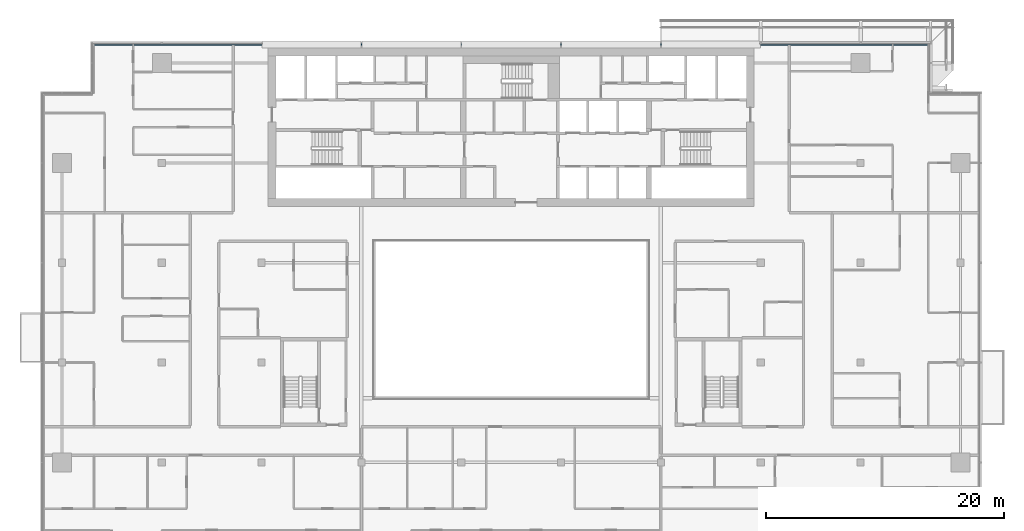
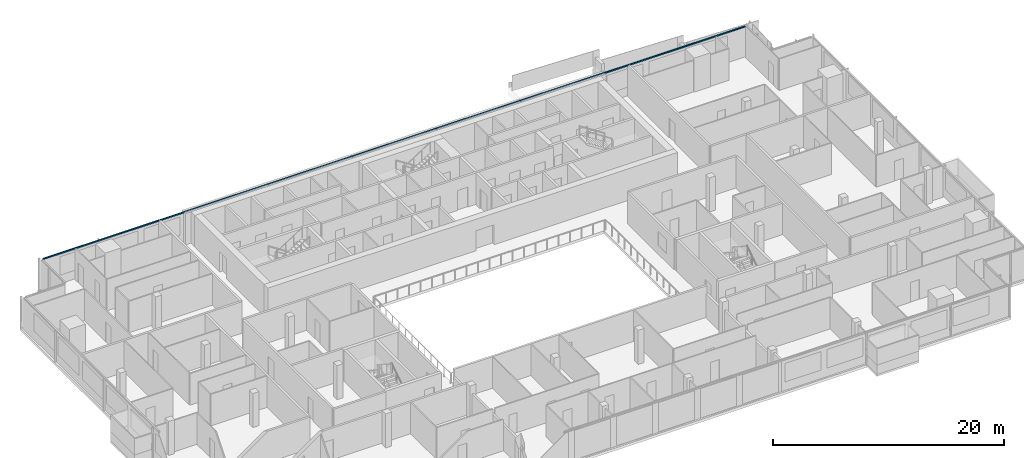
# One storey, part 9 of 29: 1 member, 1 element without a shape of its own.
"""IFC4 building model written with IfcOpenShell, lengths in metres."""

from ifc_helpers import new_model, si_unit, direction, frame, origin, origin_2d, place, context, subcontext, project, spatial, rectangle, extrude, material, material_profile, profile_set, type_object, element, aggregate, save


model = new_model("IFC4")

# Units and contexts
model_context = context("Model", 3, precision=1e-05, world=origin(), true_north=direction((0.0, 1.0)))
body_context = subcontext(model_context, "Body", "Model", "MODEL_VIEW")
ifc_project = project(units=[si_unit("LENGTHUNIT", "METRE"), si_unit("AREAUNIT", "SQUARE_METRE"), si_unit("VOLUMEUNIT", "CUBIC_METRE"), si_unit("PLANEANGLEUNIT", "RADIAN"), si_unit("MASSUNIT", "GRAM", prefix="KILO")], contexts=[model_context])

# Site, building, storey
site_placement = place(None, origin())
site = spatial("IfcSite", under=ifc_project, at=site_placement, CompositionType="ELEMENT")
building_placement = place(site_placement, origin())
building = spatial("IfcBuilding", under=site, at=building_placement, Name="Saffron Gate Tower", CompositionType="ELEMENT")
storey_placement = place(building_placement, frame((0.0, 0.0, 227.10009765625)))
storey = spatial("IfcBuildingStorey", under=building, at=storey_placement, Name="L55", CompositionType="ELEMENT", Elevation=227.10009765625)

# Curtain wall, member
ifc_material = material(Name="Aluminium, bronze anodised", Category="aluminium")
curtain_wall_type = type_object("IfcCurtainWallType", Name="CWS3 curtain wall rear facade", PredefinedType="NOTDEFINED", material=ifc_material)
curtain_wall_placement = place(storey_placement, origin())
curtain_wall = element("IfcCurtainWall", 1, at=curtain_wall_placement, inside=storey, type_object=curtain_wall_type, Name="CWS3 run 7", PredefinedType="NOTDEFINED")
ifc_material_profile = material_profile(ifc_material, rectangle(XDim=0.1201171875, YDim=0.1201171875, at=origin_2d()))
ifc_profile_set = profile_set([ifc_material_profile], Name="Aluminium, bronze anodised")
member_type = type_object("IfcMemberType", Name="CWS3 head transom", PredefinedType="USERDEFINED", material=ifc_profile_set)
member_placement = place(storey_placement, frame((122.632080078125, 75.35205078125, 3.260009765625), z_axis=(-1.0, 0.0, 0.0), x_axis=(0.0, -1.0, 0.0)))
member = element("IfcMember", 2, at=member_placement, type_object=member_type, Name="CWS3 head transom", ObjectType="TRANSOM", PredefinedType="USERDEFINED", context=body_context, shape_type="SweptSolid", body=[
    extrude(rectangle(XDim=0.1201171875, YDim=0.1201171875, at=origin_2d()), origin(), (0.0, 0.0, 1.0), 70.06396484375),
])
aggregate(curtain_wall, [member])

save(model, "model.ifc")
